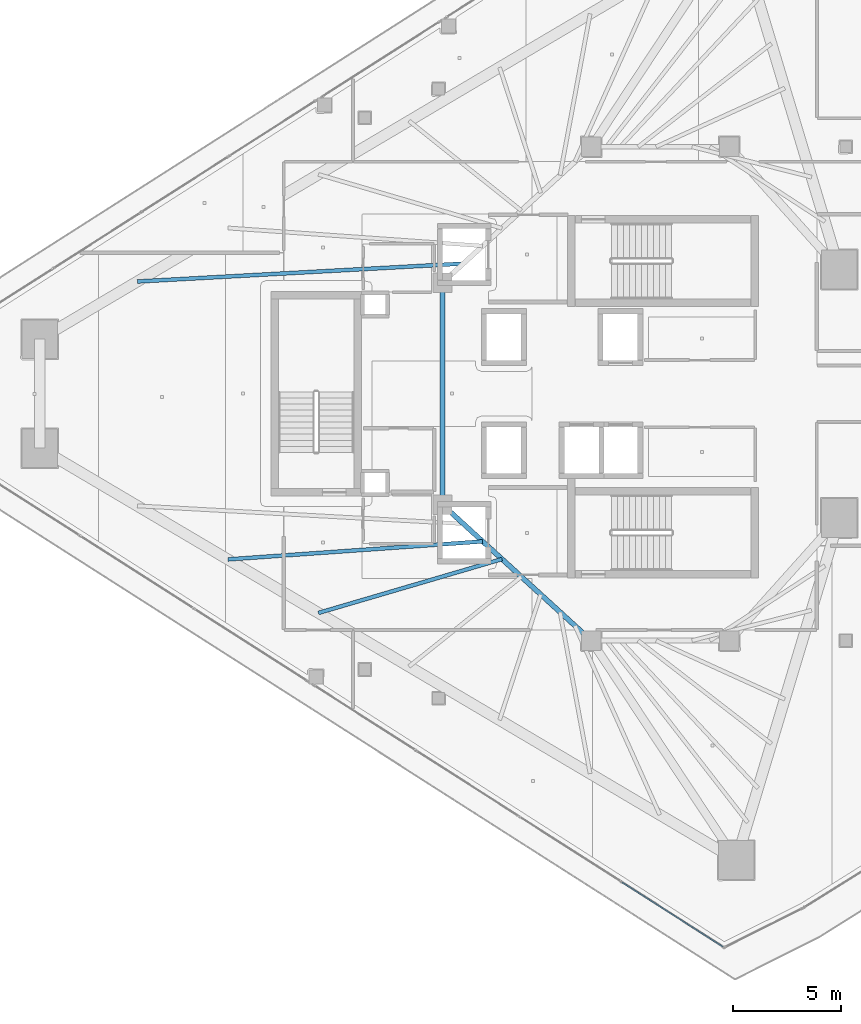
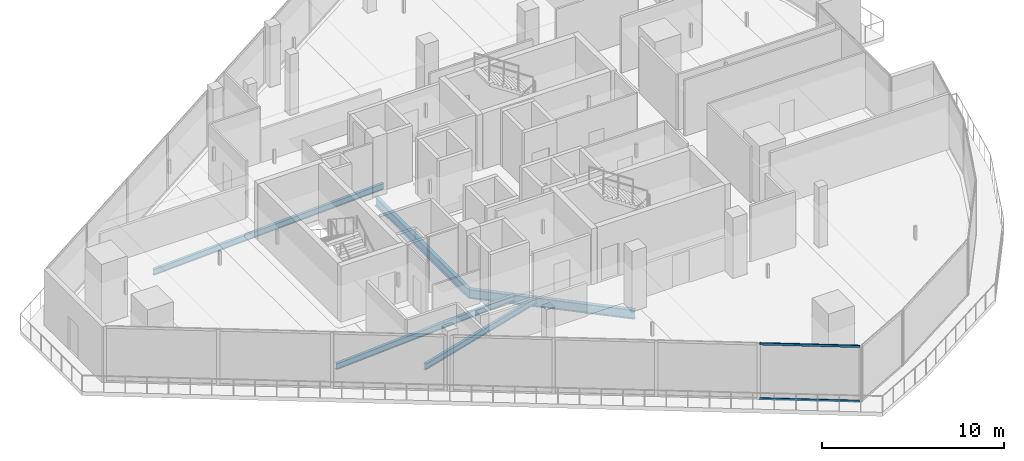
# One storey, part 9 of 34: 5 beams, 2 members, 1 element without a shape of its own.
"""IFC4 building model written with IfcOpenShell, lengths in metres."""

import ifcopenshell
import ifcopenshell.guid

model = None  # the IFC model being written
_history = None  # IfcOwnerHistory: only IFC2X3 demands one
_inside = {}  # id of a spatial element -> (the spatial element, [elements in it])
_under = {}  # id of a project, library or spatial element -> (it, [spatial elements below it])
_declared = {}  # id of a project -> (the project, [libraries it declares])
_typed = {}  # id of a type object -> (the type object, [elements of that type])
_made_of = {}  # id of a material, layer set ... -> (it, [elements and type objects made of it])


def new_model(schema):
    """Start an empty IFC model of exactly this schema.

    Asked for "IFC4X3", IfcOpenShell would pick the latest addendum, in which some entities
    have other attributes; the version numbers below select the first issue.
    IFC2X3 requires an IfcOwnerHistory on every rooted entity: one is made here for all.
    """
    global model, _history
    if schema == "IFC4X3":
        model = ifcopenshell.file(schema_version=(4, 3, 0, 0))
    else:
        model = ifcopenshell.file(schema=schema)
    _inside.clear()
    _under.clear()
    _declared.clear()
    _typed.clear()
    _made_of.clear()
    _history = None
    if model.schema == "IFC2X3":
        org = make("IfcOrganization", Name="unknown")
        user = make(
            "IfcPersonAndOrganization",
            ThePerson=make("IfcPerson", FamilyName="unknown"),
            TheOrganization=org,
        )
        app = make(
            "IfcApplication",
            ApplicationDeveloper=org,
            Version="unknown",
            ApplicationFullName="unknown",
            ApplicationIdentifier="unknown",
        )
        _history = make(
            "IfcOwnerHistory",
            OwningUser=user,
            OwningApplication=app,
            ChangeAction="ADDED",
            CreationDate=0,
        )
    return model


def make(cls, **values):
    """One entity of the class cls with the attributes given. An attribute that is None is left unset."""
    return model.create_entity(
        cls, **{name: value for name, value in values.items() if value is not None}
    )


def rooted(cls, **values):
    """An entity with a GlobalId (a new one), such as an element, a storey or a relation."""
    return make(cls, GlobalId=ifcopenshell.guid.new(), OwnerHistory=_history, **values)


def si_unit(unit_type, name, prefix=None):
    """IfcSIUnit, for example si_unit("LENGTHUNIT", "METRE", prefix="MILLI")."""
    return make("IfcSIUnit", UnitType=unit_type, Prefix=prefix, Name=name)


def assignment(units):
    """IfcUnitAssignment: the units of a project."""
    return None if units is None else make("IfcUnitAssignment", Units=units)


def point(xyz):
    """IfcCartesianPoint."""
    return None if xyz is None else make("IfcCartesianPoint", Coordinates=xyz)


def direction(xyz):
    """IfcDirection."""
    return None if xyz is None else make("IfcDirection", DirectionRatios=xyz)


def frame(location, z_axis=None, x_axis=None):
    """IfcAxis2Placement3D, a coordinate frame: its origin and axes. An axis left out is left unset."""
    return make(
        "IfcAxis2Placement3D",
        Location=point(location),
        Axis=direction(z_axis),
        RefDirection=direction(x_axis),
    )


def frame_2d(location, x_axis=None):
    """IfcAxis2Placement2D, a coordinate frame in the plane: its origin and x axis."""
    return make(
        "IfcAxis2Placement2D", Location=point(location), RefDirection=direction(x_axis)
    )


def origin():
    """The frame at (0, 0, 0) with its axes left unset."""
    return frame((0.0, 0.0, 0.0))


def origin_2d():
    """The frame at (0, 0) in the plane with its x axis left unset."""
    return frame_2d((0.0, 0.0))


def place(relative_to, where):
    """IfcLocalPlacement: puts the frame where relative to a parent placement (None: the world)."""
    return make(
        "IfcLocalPlacement", PlacementRelTo=relative_to, RelativePlacement=where
    )


def context(
    kind, dimensions, precision=None, world=None, true_north=None, identifier=None
):
    """IfcGeometricRepresentationContext, for example the 3D "Model" context."""
    return make(
        "IfcGeometricRepresentationContext",
        ContextIdentifier=identifier,
        ContextType=kind,
        CoordinateSpaceDimension=dimensions,
        Precision=precision,
        WorldCoordinateSystem=world,
        TrueNorth=true_north,
    )


def subcontext(parent, identifier, kind, view, scale=None):
    """IfcGeometricRepresentationSubContext, for example "Body" below "Model"."""
    return make(
        "IfcGeometricRepresentationSubContext",
        ContextIdentifier=identifier,
        ContextType=kind,
        ParentContext=parent,
        TargetScale=scale,
        TargetView=view,
    )


def project(units=None, contexts=None):
    """IfcProject with its units and contexts."""
    return rooted(
        "IfcProject",
        Name="project",
        RepresentationContexts=contexts,
        UnitsInContext=assignment(units),
    )


def spatial(cls, under=None, at=None, **own):
    """A site, building, storey or space (cls), placed at a placement, below another one or the project."""
    s = rooted(cls, ObjectPlacement=at, **own)
    if under is not None:
        _under.setdefault(under.id(), (under, []))[1].append(s)
    return s


def profile(cls, at=None, kind="AREA", **sizes):
    """A parametric profile (cls). Its sizes go by their IFC names, for example OverallWidth=200.0."""
    return make(cls, ProfileType=kind, Position=at, **sizes)


def hollow_rectangle(**sizes):
    """IfcRectangleHollowProfileDef."""
    return profile("IfcRectangleHollowProfileDef", **sizes)


def i_section(**sizes):
    """IfcIShapeProfileDef."""
    return profile("IfcIShapeProfileDef", **sizes)


def extrude(swept, where, along, depth):
    """IfcExtrudedAreaSolid: the profile swept, set in the frame where, extruded along a direction by depth."""
    return make(
        "IfcExtrudedAreaSolid",
        SweptArea=swept,
        Position=where,
        ExtrudedDirection=direction(along),
        Depth=depth,
    )


def shape(context_of_items, identifier, shape_type, items):
    """IfcShapeRepresentation: the items that make up one representation, for example the "Body"."""
    return make(
        "IfcShapeRepresentation",
        ContextOfItems=context_of_items,
        RepresentationIdentifier=identifier,
        RepresentationType=shape_type,
        Items=items,
    )


def material(Name=None, Category=None):
    """IfcMaterial."""
    return make("IfcMaterial", Name=Name, Category=Category)


def layer(
    of_material, thickness, ventilated=None, Name=None, Category=None, Priority=None
):
    """IfcMaterialLayer: one layer of a wall or slab, of a material (None: an air gap)."""
    return make(
        "IfcMaterialLayer",
        Material=of_material,
        LayerThickness=thickness,
        IsVentilated=ventilated,
        Name=Name,
        Category=Category,
        Priority=Priority,
    )


def layer_set(layers, Name=None):
    """IfcMaterialLayerSet."""
    return make("IfcMaterialLayerSet", MaterialLayers=layers, LayerSetName=Name)


def material_profile(
    of_material, cross_section, Name=None, Category=None, Priority=None
):
    """IfcMaterialProfile: a cross section and its material."""
    return make(
        "IfcMaterialProfile",
        Name=Name,
        Material=of_material,
        Profile=cross_section,
        Priority=Priority,
        Category=Category,
    )


def profile_set(profiles, Name=None, composite=None):
    """IfcMaterialProfileSet."""
    return make(
        "IfcMaterialProfileSet",
        Name=Name,
        MaterialProfiles=profiles,
        CompositeProfile=composite,
    )


def made_of(thing, what):
    """Note that an element or type object is made of a material, layer set ...; save() writes the relation."""
    if what is not None:
        _made_of.setdefault(what.id(), (what, []))[1].append(thing)
    return thing


def type_object(cls, material=None, **own):
    """A type object (cls), such as IfcWallType, which elements share."""
    return made_of(rooted(cls, **own), material)


def element(
    cls,
    number,
    at=None,
    inside=None,
    cuts=None,
    type_object=None,
    material=None,
    context=None,
    identifier="Body",
    shape_type=None,
    held_by="IfcProductDefinitionShape",
    body=None,
    shapes=None,
    **own,
):
    """One element of the class cls, such as IfcWall. Its Tag is "e" and its number.

    at: its placement. inside: the storey or other place that contains it. cuts: it is an
    opening in that element (IfcRelVoidsElement). A single representation is given by context,
    identifier, shape_type and body (its items); several are given by shapes. held_by: the class
    of the entity that holds the representations. save() writes the other relations.
    """
    e = rooted(cls, Tag="e%d" % number, ObjectPlacement=at, **own)
    if body is not None:
        shapes = [shape(context, identifier, shape_type, body)]
    if shapes is not None:
        e.Representation = make(held_by, Representations=shapes)
    if inside is not None:
        _inside.setdefault(inside.id(), (inside, []))[1].append(e)
    if cuts is not None:
        rooted(
            "IfcRelVoidsElement", RelatingBuildingElement=cuts, RelatedOpeningElement=e
        )
    if type_object is not None:
        _typed.setdefault(type_object.id(), (type_object, []))[1].append(e)
    return made_of(e, material)


def aggregate(whole, parts):
    """IfcRelAggregates: a whole, such as a stair, and the parts it consists of."""
    return rooted("IfcRelAggregates", RelatingObject=whole, RelatedObjects=parts)


def save(model, path):
    """Write the relations noted so far, then the file.

    IfcRelAggregates (storeys below a building ...), IfcRelContainedInSpatialStructure (elements
    in a storey), IfcRelDefinesByType, IfcRelAssociatesMaterial and IfcRelDeclares: one each for
    every whole, place, type object, material and project.
    """
    for whole, parts in _under.values():
        aggregate(whole, parts)
    for where, things in _inside.values():
        rooted(
            "IfcRelContainedInSpatialStructure",
            RelatedElements=things,
            RelatingStructure=where,
        )
    for kind, things in _typed.values():
        rooted("IfcRelDefinesByType", RelatedObjects=things, RelatingType=kind)
    for what, things in _made_of.values():
        rooted("IfcRelAssociatesMaterial", RelatedObjects=things, RelatingMaterial=what)
    for by, libraries in _declared.values():
        rooted("IfcRelDeclares", RelatingContext=by, RelatedDefinitions=libraries)
    model.write(path)


model = new_model("IFC4")

# Units and contexts
model_context = context("Model", 3, precision=1e-05, world=origin(), true_north=direction((0.0, 1.0)))
body_context = subcontext(model_context, "Body", "Model", "MODEL_VIEW")
ifc_project = project(units=[si_unit("LENGTHUNIT", "METRE"), si_unit("AREAUNIT", "SQUARE_METRE"), si_unit("VOLUMEUNIT", "CUBIC_METRE"), si_unit("PLANEANGLEUNIT", "RADIAN"), si_unit("MASSUNIT", "GRAM", prefix="KILO")], contexts=[model_context])

# Site, building, storey
site_placement = place(None, origin())
site = spatial("IfcSite", under=ifc_project, at=site_placement, CompositionType="ELEMENT")
building_placement = place(site_placement, origin())
building = spatial("IfcBuilding", under=site, at=building_placement, Name="Qorvath Tower", CompositionType="ELEMENT")
storey_placement = place(building_placement, frame((0.0, 0.0, 245.550048828125)))
storey = spatial("IfcBuildingStorey", under=building, at=storey_placement, Name="L57", CompositionType="ELEMENT", Elevation=245.550048828125)

# Beams
ifc_material_1 = material(Name="Steel ASTM A992 Grade 50", Category="steel")
ifc_material_profile_1 = material_profile(ifc_material_1, i_section(OverallWidth=0.22998046875, OverallDepth=0.616943359375, WebThickness=0.01318359375, FlangeThickness=0.022216796875, FilletRadius=0.014892578125, at=origin_2d()), Name="W24x94")
ifc_profile_set_1 = profile_set([ifc_material_profile_1], Name="Steel ASTM A992 Grade 50")
beam_type_1 = type_object("IfcBeamType", Name="BM-FG6", PredefinedType="BEAM", material=ifc_profile_set_1)
beam_1_placement = place(storey_placement, frame((-23.60009765625, -11.449951171875, -0.57861328125), z_axis=(-0.73847813985, 0.6742774184, 0.0), x_axis=(-0.6742774184, -0.73847813985, 0.0)))
element("IfcBeam", 1, at=beam_1_placement, inside=storey, type_object=beam_type_1, Name="Core Ring Girder CC4-CC6 L57", PredefinedType="BEAM", context=body_context, shape_type="SweptSolid", body=[
    extrude(i_section(OverallWidth=0.22998046875, OverallDepth=0.616943359375, WebThickness=0.01318359375, FlangeThickness=0.022216796875, FilletRadius=0.014892578125, at=origin_2d()), origin(), (0.0, 0.0, 1.0), 9.343505859375),
])
beam_2_placement = place(storey_placement, frame((-30.5, -5.14990234375, -0.57861328125), z_axis=(0.0, 1.0, 0.0), x_axis=(-1.0, 0.0, 0.0)))
element("IfcBeam", 2, at=beam_2_placement, inside=storey, type_object=beam_type_1, Name="Core Ring Girder CC6-CC5 L57", PredefinedType="BEAM", context=body_context, shape_type="SweptSolid", body=[
    extrude(i_section(OverallWidth=0.22998046875, OverallDepth=0.616943359375, WebThickness=0.01318359375, FlangeThickness=0.022216796875, FilletRadius=0.014892578125, at=origin_2d()), origin(), (0.0, 0.0, 1.0), 10.2998046875),
])
ifc_material_2 = material(Name="Steel ASTM A992 Grade 50", Category="steel")
ifc_material_profile_2 = material_profile(ifc_material_2, i_section(OverallWidth=0.177978515625, OverallDepth=0.406005859375, WebThickness=0.0078125, FlangeThickness=0.0126953125, FilletRadius=0.010986328125, at=origin_2d()), Name="W16x40")
ifc_profile_set_2 = profile_set([ifc_material_profile_2], Name="Steel ASTM A992 Grade 50")
beam_type_2 = type_object("IfcBeamType", Name="BM-FJ3", PredefinedType="JOIST", material=ifc_profile_set_2)
beam_3_placement = place(storey_placement, frame((-29.533935546875, 6.031982421875, -0.47314453125), z_axis=(-0.998494745044, -0.054847462293, 0.0), x_axis=(0.054847462293, -0.998494745044, 0.0)))
element("IfcBeam", 3, at=beam_3_placement, inside=storey, type_object=beam_type_2, Name="Composite Floor Joist NW1 L57", PredefinedType="JOIST", context=body_context, shape_type="SweptSolid", body=[
    extrude(i_section(OverallWidth=0.177978515625, OverallDepth=0.406005859375, WebThickness=0.0078125, FlangeThickness=0.0126953125, FilletRadius=0.010986328125, at=origin_2d()), origin(), (0.0, 0.0, 1.0), 15.138671875),
])
beam_4_placement = place(storey_placement, frame((-28.636962890625, -6.85107421875, -0.47314453125), z_axis=(-0.997520476731, -0.070376832146, 0.0), x_axis=(0.070376832146, -0.997520476731, 0.0)))
element("IfcBeam", 4, at=beam_4_placement, inside=storey, type_object=beam_type_2, Name="Composite Floor Joist SW2 L57", PredefinedType="JOIST", context=body_context, shape_type="SweptSolid", body=[
    extrude(i_section(OverallWidth=0.177978515625, OverallDepth=0.406005859375, WebThickness=0.0078125, FlangeThickness=0.0126953125, FilletRadius=0.010986328125, at=origin_2d()), origin(), (0.0, 0.0, 1.0), 11.84326171875),
])
beam_5_placement = place(storey_placement, frame((-27.739990234375, -7.669921875, -0.47314453125), z_axis=(-0.959544992264, -0.281555337049, 0.0), x_axis=(0.281555337049, -0.959544992264, 0.0)))
element("IfcBeam", 5, at=beam_5_placement, inside=storey, type_object=beam_type_2, Name="Composite Floor Joist SW3 L57", PredefinedType="JOIST", context=body_context, shape_type="SweptSolid", body=[
    extrude(i_section(OverallWidth=0.177978515625, OverallDepth=0.406005859375, WebThickness=0.0078125, FlangeThickness=0.0126953125, FilletRadius=0.010986328125, at=origin_2d()), origin(), (0.0, 0.0, 1.0), 8.87060546875),
])

# Curtain wall, members
ifc_material_3 = material(Name="Anodised aluminium and triple low-E glass", Category="aluminium")
ifc_layer = layer(ifc_material_3, 0.179931640625)
ifc_layer_set = layer_set([ifc_layer], Name="CW-SYS-3")
curtain_wall_type = type_object("IfcCurtainWallType", Name="CW-SYS-3", PredefinedType="NOTDEFINED", material=ifc_layer_set)
curtain_wall_placement = place(storey_placement, origin())
curtain_wall = element("IfcCurtainWall", 6, at=curtain_wall_placement, inside=storey, type_object=curtain_wall_type, Name="Curtain Wall CW-3 CW-T-L57-2.2", PredefinedType="NOTDEFINED")
ifc_material_4 = material(Name="Anodised aluminium 6063-T6", Category="aluminium")
ifc_material_profile_3 = material_profile(ifc_material_4, hollow_rectangle(XDim=0.06494140625, YDim=0.159912109375, WallThickness=0.00341796875, InnerFilletRadius=0.00341796875, OuterFilletRadius=0.007080078125, at=origin_2d()), Name="CWT 160x65")
ifc_profile_set_3 = profile_set([ifc_material_profile_3], Name="Anodised aluminium 6063-T6")
member_type = type_object("IfcMemberType", Name="CWT-160", PredefinedType="USERDEFINED", material=ifc_profile_set_3)
member_1_placement = place(storey_placement, frame((-22.175048828125, -22.65673828125, 0.032470703125), z_axis=(0.842623152568, -0.538503688711, 0.0), x_axis=(0.538503688711, 0.842623152568, 0.0)))
member_1 = element("IfcMember", 7, at=member_1_placement, type_object=member_type, Name="CW-3 transom 4.1", ObjectType="TRANSOM", PredefinedType="USERDEFINED", context=body_context, shape_type="SweptSolid", body=[
    extrude(hollow_rectangle(XDim=0.06494140625, YDim=0.159912109375, WallThickness=0.00341796875, InnerFilletRadius=0.00341796875, OuterFilletRadius=0.007080078125, at=origin_2d()), origin(), (0.0, 0.0, 1.0), 5.55615234375),
])
member_2_placement = place(storey_placement, frame((-22.175048828125, -22.65673828125, 3.717529296875), z_axis=(0.842623152568, -0.538503688711, 0.0), x_axis=(0.538503688711, 0.842623152568, 0.0)))
member_2 = element("IfcMember", 8, at=member_2_placement, type_object=member_type, Name="CW-3 transom 4.2", ObjectType="TRANSOM", PredefinedType="USERDEFINED", context=body_context, shape_type="SweptSolid", body=[
    extrude(hollow_rectangle(XDim=0.06494140625, YDim=0.159912109375, WallThickness=0.00341796875, InnerFilletRadius=0.00341796875, OuterFilletRadius=0.007080078125, at=origin_2d()), origin(), (0.0, 0.0, 1.0), 5.55615234375),
])
aggregate(curtain_wall, [member_1, member_2])

save(model, "model.ifc")
